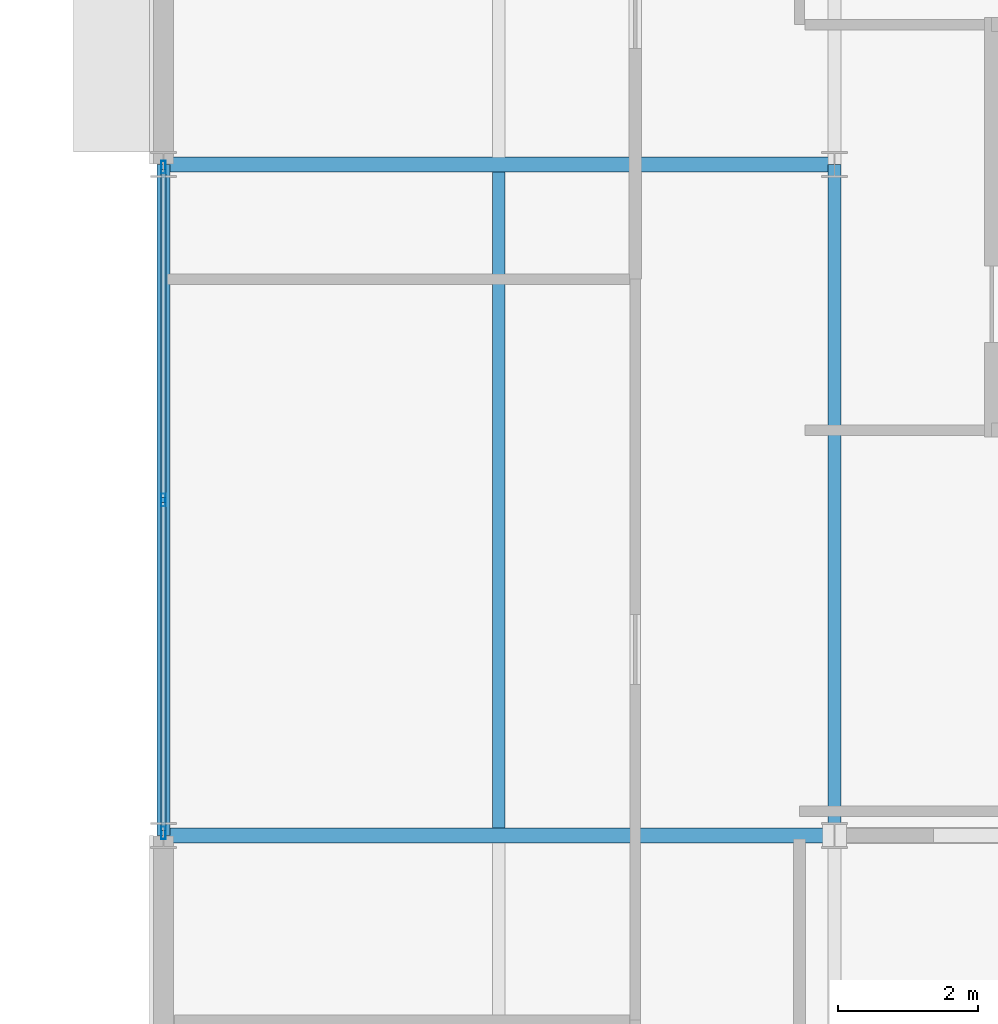
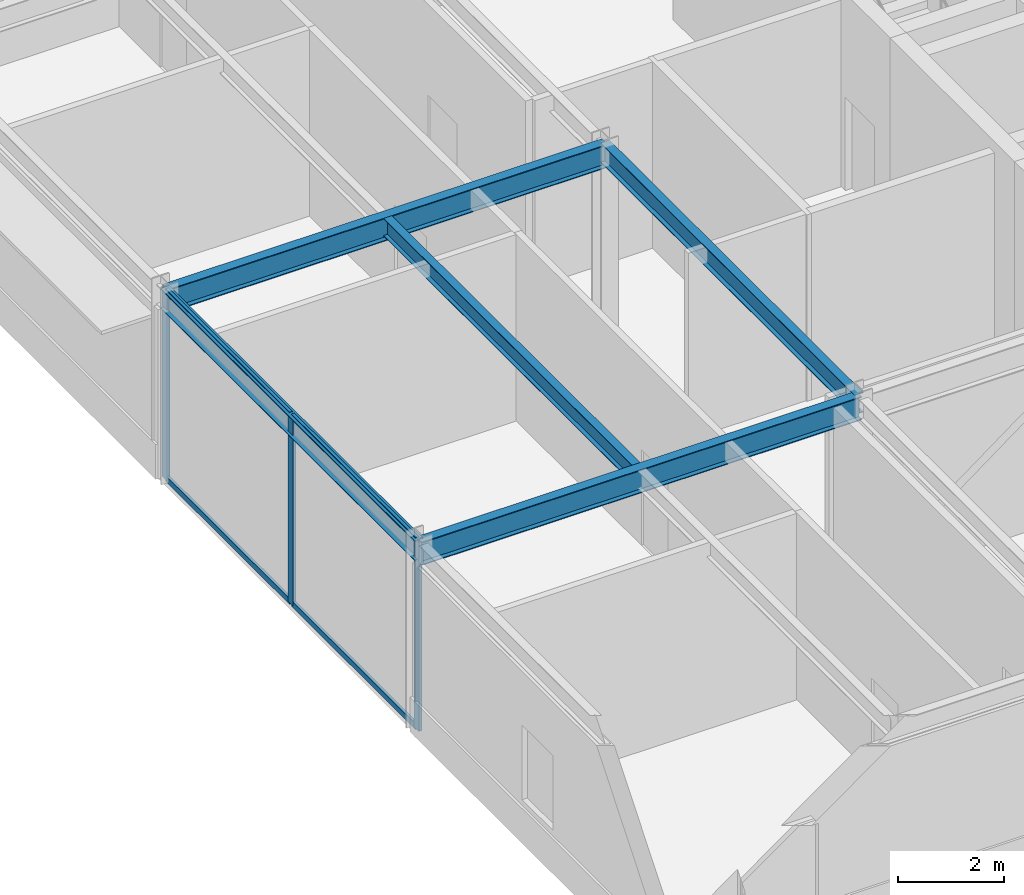
# One storey, part 19 of 50: 7 members, 5 beams, 1 element without a shape of its own.
"""IFC4 building model written with IfcOpenShell, lengths in metres."""

from ifc_helpers import new_model, si_unit, direction, frame, origin, origin_2d, place, context, subcontext, project, spatial, hollow_rectangle, i_section, extrude, material, material_profile, profile_set, type_object, element, aggregate, save


model = new_model("IFC4")

# Units and contexts
model_context = context("Model", 3, precision=1e-05, world=origin(), true_north=direction((0.0, 1.0)))
body_context = subcontext(model_context, "Body", "Model", "MODEL_VIEW")
ifc_project = project(units=[si_unit("LENGTHUNIT", "METRE"), si_unit("AREAUNIT", "SQUARE_METRE"), si_unit("VOLUMEUNIT", "CUBIC_METRE"), si_unit("PLANEANGLEUNIT", "RADIAN"), si_unit("MASSUNIT", "GRAM", prefix="KILO")], contexts=[model_context])

# Site, building, storey
site_placement = place(None, origin())
site = spatial("IfcSite", under=ifc_project, at=site_placement, CompositionType="ELEMENT")
building_placement = place(site_placement, origin())
building = spatial("IfcBuilding", under=site, at=building_placement, Name="Almandine Court Research Institute", CompositionType="ELEMENT")
storey_placement = place(building_placement, frame((0.0, 0.0, 23.449951171875)))
storey = spatial("IfcBuildingStorey", under=building, at=storey_placement, Name="L05", CompositionType="ELEMENT", Elevation=23.449951171875)

# Beams
ifc_material_1 = material(Name="Steel ASTM A992 Grade 50", Category="steel")
ifc_material_profile_1 = material_profile(ifc_material_1, i_section(OverallWidth=0.18994140625, OverallDepth=0.45703125, WebThickness=0.009033203125, FlangeThickness=0.014892578125, at=origin_2d()), Name="W460x74")
ifc_profile_set_1 = profile_set([ifc_material_profile_1], Name="Steel ASTM A992 Grade 50")
beam_type_1 = type_object("IfcBeamType", Name="Beam-B-01", PredefinedType="BEAM", material=ifc_profile_set_1)
for number, where, z_axis, x_axis, name in (
    (1, (153.60009765625, 15.60009765625, 4.156982421875), (0.0, 1.0, 0.0), (-1.0, 0.0, 0.0), "L05 V4 Primary Y Girder"),
    (2, (163.199951171875, 15.60009765625, 4.156982421875), (0.0, 1.0, 0.0), (-1.0, 0.0, 0.0), "L05 V4 Primary Y Girder"),
):
    element("IfcBeam", number, at=place(storey_placement, frame(where, z_axis=z_axis, x_axis=x_axis)), inside=storey, type_object=beam_type_1, Name=name, PredefinedType="BEAM", context=body_context, shape_type="SweptSolid", body=[
        extrude(i_section(OverallWidth=0.18994140625, OverallDepth=0.45703125, WebThickness=0.009033203125, FlangeThickness=0.014892578125, at=origin_2d()), origin(), (0.0, 0.0, 1.0), 9.599853515625),
    ])
ifc_material_profile_2 = material_profile(ifc_material_1, i_section(OverallWidth=0.178955078125, OverallDepth=0.409912109375, WebThickness=0.009033203125, FlangeThickness=0.013916015625, at=origin_2d()), Name="W410x67")
ifc_profile_set_2 = profile_set([ifc_material_profile_2], Name="Steel ASTM A992 Grade 50")
beam_type_2 = type_object("IfcBeamType", Name="Beam-B-02", PredefinedType="JOIST", material=ifc_profile_set_2)
beam_placement = place(storey_placement, frame((158.39990234375, 15.7041015625, 4.179931640625), z_axis=(0.0, 1.0, 0.0), x_axis=(-1.0, 0.0, 0.0)))
element("IfcBeam", 3, at=beam_placement, inside=storey, type_object=beam_type_2, Name="L05 V4 Composite Secondary Beam", PredefinedType="JOIST", context=body_context, shape_type="SweptSolid", body=[
    extrude(i_section(OverallWidth=0.178955078125, OverallDepth=0.409912109375, WebThickness=0.009033203125, FlangeThickness=0.013916015625, at=origin_2d()), origin(), (0.0, 0.0, 1.0), 9.391845703125),
])
ifc_material_profile_3 = material_profile(ifc_material_1, i_section(OverallWidth=0.2109375, OverallDepth=0.5390625, WebThickness=0.011962890625, FlangeThickness=0.01904296875, at=origin_2d()), Name="W530x109")
ifc_profile_set_3 = profile_set([ifc_material_profile_3], Name="Steel ASTM A992 Grade 50")
beam_type_3 = type_object("IfcBeamType", Name="Beam-G-04", PredefinedType="BEAM", material=ifc_profile_set_3)
for number, where, z_axis, x_axis, name in (
    (4, (153.60009765625, 15.60009765625, 4.115966796875), (1.0, 0.0, 0.0), (0.0, 1.0, 0.0), "L05 V4 Primary X Girder"),
    (5, (153.60009765625, 25.199951171875, 4.115966796875), (1.0, 0.0, 0.0), (0.0, 1.0, 0.0), "L05 V4 Primary X Girder"),
):
    element("IfcBeam", number, at=place(storey_placement, frame(where, z_axis=z_axis, x_axis=x_axis)), inside=storey, type_object=beam_type_3, Name=name, PredefinedType="BEAM", context=body_context, shape_type="SweptSolid", body=[
        extrude(i_section(OverallWidth=0.2109375, OverallDepth=0.5390625, WebThickness=0.011962890625, FlangeThickness=0.01904296875, at=origin_2d()), origin(), (0.0, 0.0, 1.0), 9.599853515625),
    ])

# Curtain wall, members
ifc_material_2 = material(Name="Unitised Curtain Wall Framing and Solar Glazing", Category="glass")
curtain_wall_type = type_object("IfcCurtainWallType", Name="CW-CWJ-09", PredefinedType="USERDEFINED", material=ifc_material_2)
curtain_wall_placement = place(storey_placement, origin())
curtain_wall = element("IfcCurtainWall", 6, at=curtain_wall_placement, inside=storey, type_object=curtain_wall_type, Name="L05 Wet Lab West Courtyard Jali Curtain Wall 2", ObjectType="SOLAR JALI SCREEN", PredefinedType="USERDEFINED")
ifc_material_3 = material(Name="Anodised Aluminium AW-6063-T6", Category="aluminium")
ifc_material_profile_4 = material_profile(ifc_material_3, hollow_rectangle(XDim=0.06494140625, YDim=0.179931640625, WallThickness=0.00390625, at=origin_2d()), Name="ALU RHS 65x180x4")
ifc_profile_set_4 = profile_set([ifc_material_profile_4], Name="Anodised Aluminium AW-6063-T6")
member_type_1 = type_object("IfcMemberType", Name="CWMul-65x180", PredefinedType="MULLION", material=ifc_profile_set_4)
member_1_placement = place(storey_placement, frame((153.60009765625, 15.636474609375, 0.0), z_axis=(0.0, 0.0, 1.0), x_axis=(-1.0, 0.0, 0.0)))
member_1 = element("IfcMember", 7, at=member_1_placement, type_object=member_type_1, Name="CWJ-09 mullion 1", PredefinedType="MULLION", context=body_context, shape_type="SweptSolid", body=[
    extrude(hollow_rectangle(XDim=0.06494140625, YDim=0.179931640625, WallThickness=0.00390625, at=origin_2d()), origin(), (0.0, 0.0, 1.0), 4.3701171875),
])
member_2_placement = place(storey_placement, frame((153.60009765625, 20.39990234375, 0.0), z_axis=(0.0, 0.0, 1.0), x_axis=(-1.0, 0.0, 0.0)))
member_2 = element("IfcMember", 8, at=member_2_placement, type_object=member_type_1, Name="CWJ-09 mullion 2", PredefinedType="MULLION", context=body_context, shape_type="SweptSolid", body=[
    extrude(hollow_rectangle(XDim=0.06494140625, YDim=0.179931640625, WallThickness=0.00390625, at=origin_2d()), origin(), (0.0, 0.0, 1.0), 4.3701171875),
])
member_3_placement = place(storey_placement, frame((153.60009765625, 25.16357421875, 0.0), z_axis=(0.0, 0.0, 1.0), x_axis=(-1.0, 0.0, 0.0)))
member_3 = element("IfcMember", 9, at=member_3_placement, type_object=member_type_1, Name="CWJ-09 mullion 3", PredefinedType="MULLION", context=body_context, shape_type="SweptSolid", body=[
    extrude(hollow_rectangle(XDim=0.06494140625, YDim=0.179931640625, WallThickness=0.00390625, at=origin_2d()), origin(), (0.0, 0.0, 1.0), 4.3701171875),
])
ifc_material_profile_5 = material_profile(ifc_material_3, hollow_rectangle(XDim=0.06494140625, YDim=0.1298828125, WallThickness=0.00390625, at=origin_2d()), Name="ALU RHS 65x130x4")
ifc_profile_set_5 = profile_set([ifc_material_profile_5], Name="Anodised Aluminium AW-6063-T6")
member_type_2 = type_object("IfcMemberType", Name="CWTrn-65x130", PredefinedType="NOTDEFINED", material=ifc_profile_set_5)
member_4_placement = place(storey_placement, frame((153.60009765625, 15.6689453125, 0.032470703125), z_axis=(0.0, 1.0, 0.0), x_axis=(-1.0, 0.0, 0.0)))
member_4 = element("IfcMember", 10, at=member_4_placement, type_object=member_type_2, Name="CWJ-09 transom 1.1", ObjectType="TRANSOM", PredefinedType="USERDEFINED", context=body_context, shape_type="SweptSolid", body=[
    extrude(hollow_rectangle(XDim=0.06494140625, YDim=0.1298828125, WallThickness=0.00390625, at=origin_2d()), origin(), (0.0, 0.0, 1.0), 4.698486328125),
])
member_5_placement = place(storey_placement, frame((153.60009765625, 15.6689453125, 4.337646484375), z_axis=(0.0, 1.0, 0.0), x_axis=(-1.0, 0.0, 0.0)))
member_5 = element("IfcMember", 11, at=member_5_placement, type_object=member_type_2, Name="CWJ-09 transom 1.2", ObjectType="TRANSOM", PredefinedType="USERDEFINED", context=body_context, shape_type="SweptSolid", body=[
    extrude(hollow_rectangle(XDim=0.06494140625, YDim=0.1298828125, WallThickness=0.00390625, at=origin_2d()), origin(), (0.0, 0.0, 1.0), 4.698486328125),
])
member_6_placement = place(storey_placement, frame((153.60009765625, 20.4326171875, 0.032470703125), z_axis=(0.0, 1.0, 0.0), x_axis=(-1.0, 0.0, 0.0)))
member_6 = element("IfcMember", 12, at=member_6_placement, type_object=member_type_2, Name="CWJ-09 transom 2.1", ObjectType="TRANSOM", PredefinedType="USERDEFINED", context=body_context, shape_type="SweptSolid", body=[
    extrude(hollow_rectangle(XDim=0.06494140625, YDim=0.1298828125, WallThickness=0.00390625, at=origin_2d()), origin(), (0.0, 0.0, 1.0), 4.698486328125),
])
member_7_placement = place(storey_placement, frame((153.60009765625, 20.4326171875, 4.337646484375), z_axis=(0.0, 1.0, 0.0), x_axis=(-1.0, 0.0, 0.0)))
member_7 = element("IfcMember", 13, at=member_7_placement, type_object=member_type_2, Name="CWJ-09 transom 2.2", ObjectType="TRANSOM", PredefinedType="USERDEFINED", context=body_context, shape_type="SweptSolid", body=[
    extrude(hollow_rectangle(XDim=0.06494140625, YDim=0.1298828125, WallThickness=0.00390625, at=origin_2d()), origin(), (0.0, 0.0, 1.0), 4.698486328125),
])
aggregate(curtain_wall, [member_1, member_2, member_3, member_4, member_5, member_6, member_7])

save(model, "model.ifc")
